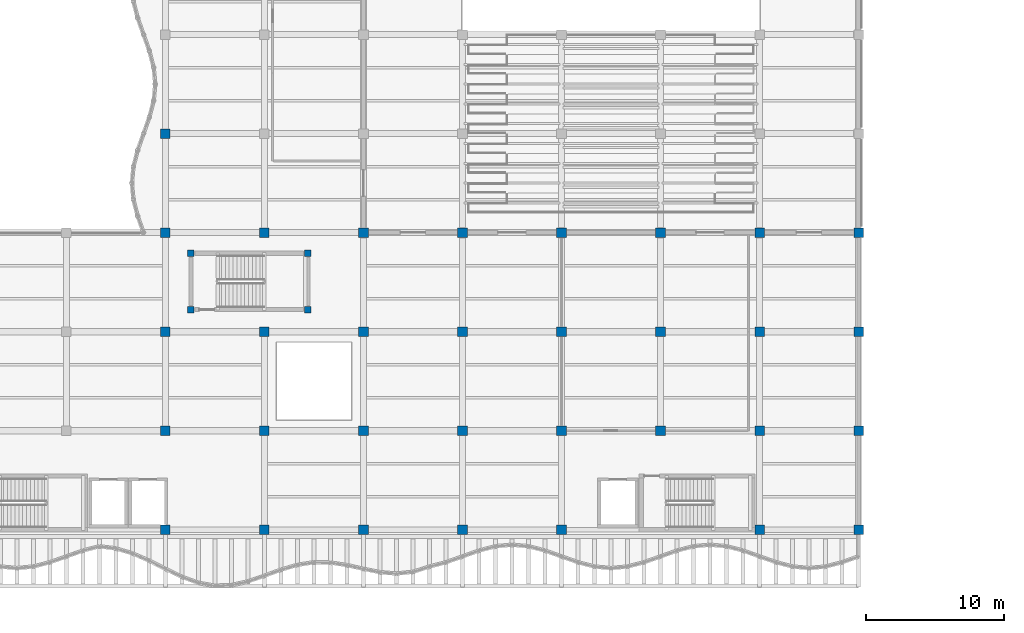
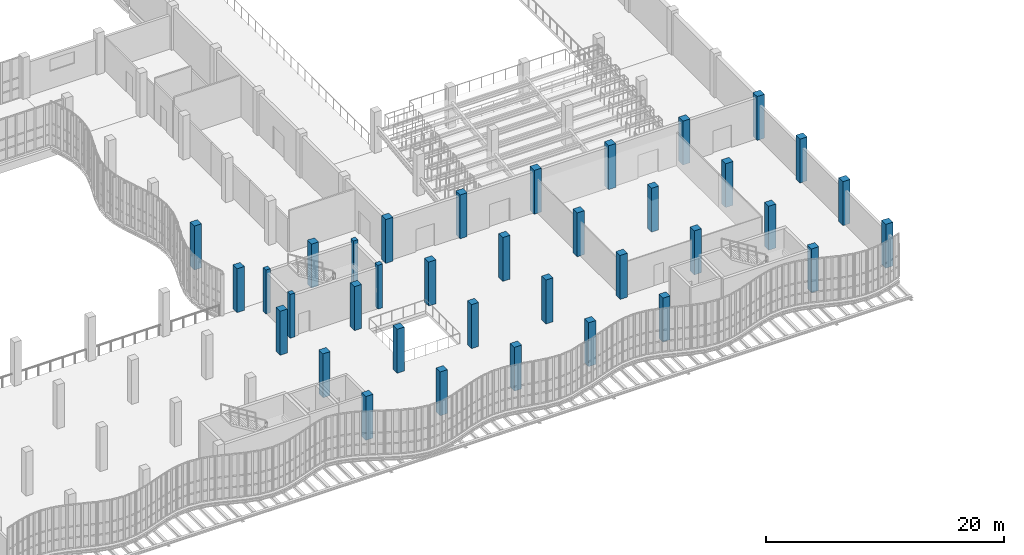
# One storey, part 5 of 108: 36 columns.
"""IFC4 building model written with IfcOpenShell, lengths in metres."""

from ifc_helpers import new_model, si_unit, direction, frame, origin, origin_2d, place, context, subcontext, project, spatial, rectangle, extrude, material, material_profile, profile_set, type_object, element, save


model = new_model("IFC4")

# Units and contexts
model_context = context("Model", 3, precision=1e-05, world=origin(), true_north=direction((0.0, 1.0)))
body_context = subcontext(model_context, "Body", "Model", "MODEL_VIEW")
ifc_project = project(units=[si_unit("LENGTHUNIT", "METRE"), si_unit("AREAUNIT", "SQUARE_METRE"), si_unit("VOLUMEUNIT", "CUBIC_METRE"), si_unit("PLANEANGLEUNIT", "RADIAN"), si_unit("MASSUNIT", "GRAM", prefix="KILO"), si_unit("THERMODYNAMICTEMPERATUREUNIT", "KELVIN"), si_unit("POWERUNIT", "WATT")], contexts=[model_context])

# Site, building, storey
site_placement = place(None, origin())
site = spatial("IfcSite", under=ifc_project, at=site_placement, CompositionType="ELEMENT")
building_placement = place(site_placement, origin())
building = spatial("IfcBuilding", under=site, at=building_placement, Name="Kaldorven Railside Theatre", CompositionType="ELEMENT")
storey_placement = place(building_placement, frame((0.0, 0.0, 5.39990234375)))
storey = spatial("IfcBuildingStorey", under=building, at=storey_placement, Name="L01", CompositionType="ELEMENT", Elevation=5.39990234375)

# Columns
ifc_material = material(Name="Concrete C40/50", Category="concrete")
ifc_material_profile_1 = material_profile(ifc_material, rectangle(XDim=0.449951171875, YDim=0.449951171875, at=origin_2d()), Name="RC 450x450")
ifc_profile_set_1 = profile_set([ifc_material_profile_1], Name="Concrete C40/50")
column_type_1 = type_object("IfcColumnType", Name="COL-RC450", PredefinedType="COLUMN", material=ifc_profile_set_1)
for number, where, z_axis, x_axis, name in (
    (1, (74.64990234375, 35.199951171875, 0.0), (0.0, 0.0, 1.0), (1.0, 0.0, 0.0), "Core ST-07 L01 Boundary Column CCR-022"),
    (2, (83.14990234375, 35.199951171875, 0.0), (0.0, 0.0, 1.0), (1.0, 0.0, 0.0), "Core ST-07 L01 Boundary Column CCR-026"),
    (3, (83.14990234375, 39.300048828125, 0.0), (0.0, 0.0, 1.0), (1.0, 0.0, 0.0), "Core ST-07 L01 Boundary Column CCR-030"),
    (4, (74.64990234375, 39.300048828125, 0.0), (0.0, 0.0, 1.0), (1.0, 0.0, 0.0), "Core ST-07 L01 Boundary Column CCR-034"),
):
    element("IfcColumn", number, at=place(storey_placement, frame(where, z_axis=z_axis, x_axis=x_axis)), inside=storey, type_object=column_type_1, Name=name, PredefinedType="COLUMN", context=body_context, shape_type="SweptSolid", body=[
        extrude(rectangle(XDim=0.449951171875, YDim=0.449951171875, at=origin_2d()), origin(), (0.0, 0.0, 1.0), 4.5),
    ])
ifc_material_profile_2 = material_profile(ifc_material, rectangle(XDim=0.699951171875, YDim=0.699951171875, at=origin_2d()), Name="RC 700x700")
ifc_profile_set_2 = profile_set([ifc_material_profile_2], Name="Concrete C40/50")
column_type_2 = type_object("IfcColumnType", Name="COL-RC700", PredefinedType="COLUMN", material=ifc_profile_set_2)
for number, where, z_axis, x_axis, name in (
    (5, (72.800048828125, 19.199951171875, 0.0), (0.0, 0.0, 1.0), (1.0, 0.0, 0.0), "L01 Column CG-L01-072-019"),
    (6, (80.0, 19.199951171875, 0.0), (0.0, 0.0, 1.0), (0.0, 1.0, 0.0), "L01 Column CG-L01-080-019"),
    (7, (87.199951171875, 19.199951171875, 0.0), (0.0, 0.0, 1.0), (1.0, 0.0, 0.0), "L01 Column CG-L01-087-019"),
    (8, (94.39990234375, 19.199951171875, 0.0), (0.0, 0.0, 1.0), (0.0, 1.0, 0.0), "L01 Column CG-L01-094-019"),
    (9, (101.60009765625, 19.199951171875, 0.0), (0.0, 0.0, 1.0), (1.0, 0.0, 0.0), "L01 Column CG-L01-101-019"),
    (10, (116.0, 19.199951171875, 0.0), (0.0, 0.0, 1.0), (0.0, 1.0, 0.0), "L01 Column CG-L01-116-019"),
    (11, (123.199951171875, 19.199951171875, 0.0), (0.0, 0.0, 1.0), (1.0, 0.0, 0.0), "L01 Column CG-L01-123-019"),
    (12, (72.800048828125, 26.39990234375, 0.0), (0.0, 0.0, 1.0), (0.0, 1.0, 0.0), "L01 Column CG-L01-072-026"),
    (13, (80.0, 26.39990234375, 0.0), (0.0, 0.0, 1.0), (1.0, 0.0, 0.0), "L01 Column CG-L01-080-026"),
    (14, (87.199951171875, 26.39990234375, 0.0), (0.0, 0.0, 1.0), (0.0, 1.0, 0.0), "L01 Column CG-L01-087-026"),
    (15, (94.39990234375, 26.39990234375, 0.0), (0.0, 0.0, 1.0), (1.0, 0.0, 0.0), "L01 Column CG-L01-094-026"),
    (16, (101.60009765625, 26.39990234375, 0.0), (0.0, 0.0, 1.0), (1.0, 0.0, 0.0), "L01 Column CG-L01-101-026"),
    (17, (108.800048828125, 26.39990234375, 0.0), (0.0, 0.0, 1.0), (0.0, 1.0, 0.0), "L01 Column CG-L01-108-026"),
    (18, (116.0, 26.39990234375, 0.0), (0.0, 0.0, 1.0), (1.0, 0.0, 0.0), "L01 Column CG-L01-116-026"),
    (19, (123.199951171875, 26.39990234375, 0.0), (0.0, 0.0, 1.0), (0.0, 1.0, 0.0), "L01 Column CG-L01-123-026"),
    (20, (72.800048828125, 33.60009765625, 0.0), (0.0, 0.0, 1.0), (1.0, 0.0, 0.0), "L01 Column CG-L01-072-033"),
    (21, (80.0, 33.60009765625, 0.0), (0.0, 0.0, 1.0), (0.0, 1.0, 0.0), "L01 Column CG-L01-080-033"),
    (22, (87.199951171875, 33.60009765625, 0.0), (0.0, 0.0, 1.0), (1.0, 0.0, 0.0), "L01 Column CG-L01-087-033"),
    (23, (94.39990234375, 33.60009765625, 0.0), (0.0, 0.0, 1.0), (1.0, 0.0, 0.0), "L01 Column CG-L01-094-033"),
    (24, (101.60009765625, 33.60009765625, 0.0), (0.0, 0.0, 1.0), (0.0, 1.0, 0.0), "L01 Column CG-L01-101-033"),
    (25, (108.800048828125, 33.60009765625, 0.0), (0.0, 0.0, 1.0), (1.0, 0.0, 0.0), "L01 Column CG-L01-108-033"),
    (26, (116.0, 33.60009765625, 0.0), (0.0, 0.0, 1.0), (0.0, 1.0, 0.0), "L01 Column CG-L01-116-033"),
    (27, (123.199951171875, 33.60009765625, 0.0), (0.0, 0.0, 1.0), (1.0, 0.0, 0.0), "L01 Column CG-L01-123-033"),
    (28, (72.800048828125, 40.800048828125, 0.0), (0.0, 0.0, 1.0), (0.0, 1.0, 0.0), "L01 Column CG-L01-072-040"),
    (29, (80.0, 40.800048828125, 0.0), (0.0, 0.0, 1.0), (1.0, 0.0, 0.0), "L01 Column CG-L01-080-040"),
    (30, (87.199951171875, 40.800048828125, 0.0), (0.0, 0.0, 1.0), (1.0, 0.0, 0.0), "L01 Column CG-L01-087-040"),
    (31, (94.39990234375, 40.800048828125, 0.0), (0.0, 0.0, 1.0), (0.0, 1.0, 0.0), "L01 Column CG-L01-094-040"),
    (32, (101.60009765625, 40.800048828125, 0.0), (0.0, 0.0, 1.0), (1.0, 0.0, 0.0), "L01 Column CG-L01-101-040"),
    (33, (108.800048828125, 40.800048828125, 0.0), (0.0, 0.0, 1.0), (0.0, 1.0, 0.0), "L01 Column CG-L01-108-040"),
    (34, (116.0, 40.800048828125, 0.0), (0.0, 0.0, 1.0), (1.0, 0.0, 0.0), "L01 Column CG-L01-116-040"),
    (35, (123.199951171875, 40.800048828125, 0.0), (0.0, 0.0, 1.0), (1.0, 0.0, 0.0), "L01 Column CG-L01-123-040"),
    (36, (72.800048828125, 48.0, 0.0), (0.0, 0.0, 1.0), (1.0, 0.0, 0.0), "L01 Column CG-L01-072-048"),
):
    element("IfcColumn", number, at=place(storey_placement, frame(where, z_axis=z_axis, x_axis=x_axis)), inside=storey, type_object=column_type_2, Name=name, PredefinedType="COLUMN", context=body_context, shape_type="SweptSolid", body=[
        extrude(rectangle(XDim=0.699951171875, YDim=0.699951171875, at=origin_2d()), origin(), (0.0, 0.0, 1.0), 4.5),
    ])

save(model, "model.ifc")
